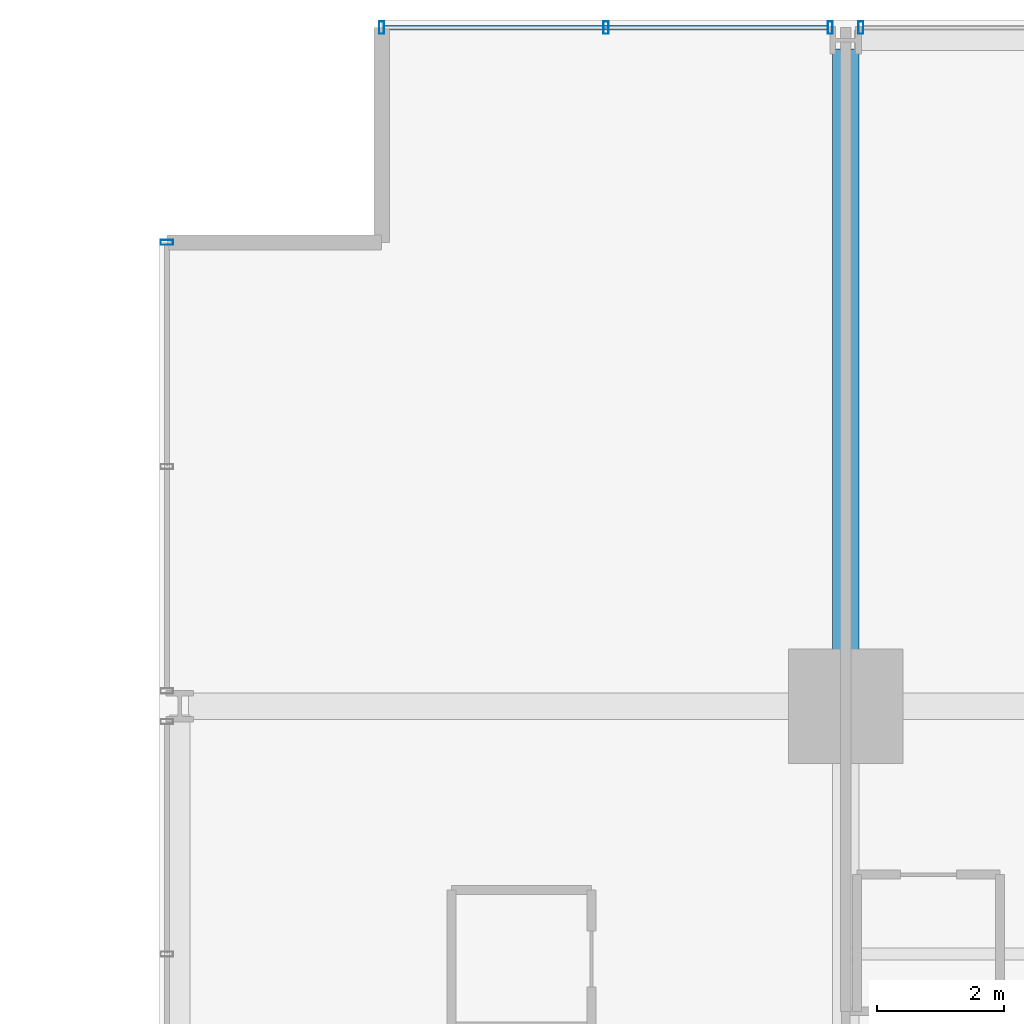
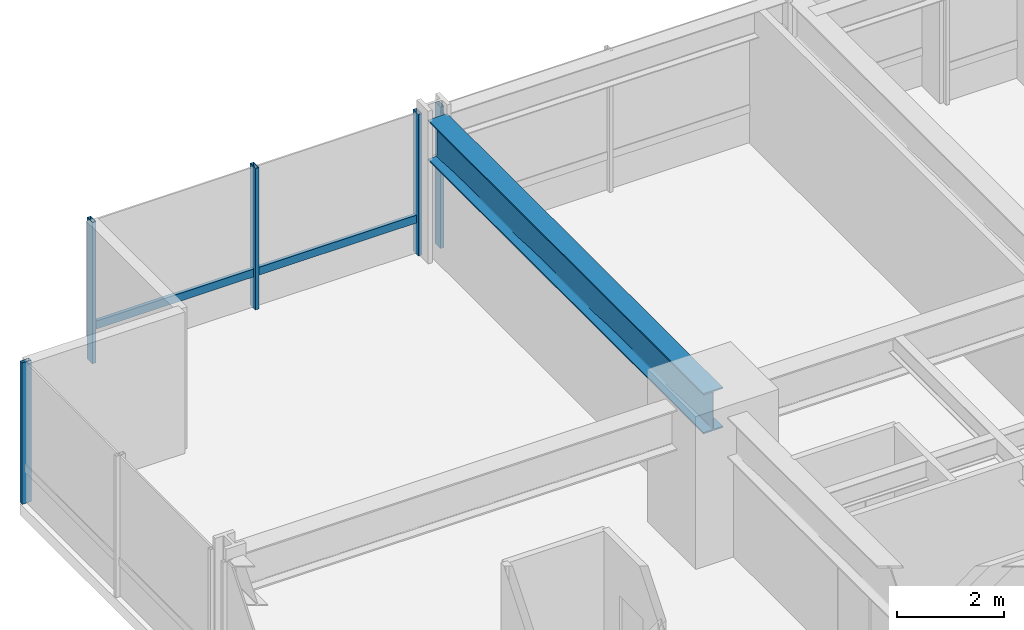
# One storey, part 21 of 38: 6 members, 1 beam, 3 elements without a shape of their own.
"""IFC4 building model written with IfcOpenShell, lengths in metres."""

from ifc_helpers import new_model, si_unit, direction, frame, origin, origin_2d, place, context, subcontext, project, spatial, hollow_rectangle, i_section, extrude, material, layer, layer_set, material_profile, profile_set, type_object, element, aggregate, save


model = new_model("IFC4")

# Units and contexts
model_context = context("Model", 3, precision=1e-05, world=origin(), true_north=direction((0.0, 1.0)))
body_context = subcontext(model_context, "Body", "Model", "MODEL_VIEW")
ifc_project = project(units=[si_unit("LENGTHUNIT", "METRE"), si_unit("AREAUNIT", "SQUARE_METRE"), si_unit("VOLUMEUNIT", "CUBIC_METRE"), si_unit("PLANEANGLEUNIT", "RADIAN"), si_unit("MASSUNIT", "GRAM", prefix="KILO")], contexts=[model_context])

# Site, building, storey
site_placement = place(None, origin())
site = spatial("IfcSite", under=ifc_project, at=site_placement, CompositionType="ELEMENT")
building_placement = place(site_placement, origin())
building = spatial("IfcBuilding", under=site, at=building_placement, Name="Drelvath Grand Hotel", CompositionType="ELEMENT")
storey_placement = place(building_placement, frame((0.0, 0.0, 57.699951171875)))
storey = spatial("IfcBuildingStorey", under=building, at=storey_placement, Name="L13", CompositionType="ELEMENT", Elevation=57.699951171875)

# Curtain wall, member
ifc_material_1 = material(Name="Warm Bronze Anodised Aluminium Frame", Category="aluminium")
ifc_layer = layer(ifc_material_1, 0.199951171875)
ifc_layer_set = layer_set([ifc_layer], Name="Warm Bronze Anodised Aluminium Frame")
curtain_wall_type = type_object("IfcCurtainWallType", Name="Stick Curtain Wall CW-02 Warm Bronze Low-Rise", PredefinedType="NOTDEFINED", material=ifc_layer_set)
curtain_wall_1_placement = place(storey_placement, origin())
curtain_wall_1 = element("IfcCurtainWall", 1, at=curtain_wall_1_placement, inside=storey, type_object=curtain_wall_type, Name="L13 CW-02 Curtain Wall CW02-L13-NW1", PredefinedType="NOTDEFINED")
ifc_material_profile_1 = material_profile(ifc_material_1, hollow_rectangle(XDim=0.074951171875, YDim=0.179931640625, WallThickness=0.0048828125, at=origin_2d()), Name="HSS180X75X5")
ifc_profile_set_1 = profile_set([ifc_material_profile_1], Name="Warm Bronze Anodised Aluminium Frame")
member_type_1 = type_object("IfcMemberType", Name="Curtain Wall Horizontal Transom CW-02 HSS180X75X5", PredefinedType="USERDEFINED", material=ifc_profile_set_1)
member_1_placement = place(storey_placement, frame((-23.4599609375, 53.8798828125, 0.81005859375), z_axis=(1.0, 0.0, 0.0), x_axis=(0.0, 1.0, 0.0)))
member_1 = element("IfcMember", 2, at=member_1_placement, type_object=member_type_1, Name="CW02-L13-NW1 Sill Transom", ObjectType="TRANSOM", PredefinedType="USERDEFINED", context=body_context, shape_type="SweptSolid", body=[
    extrude(hollow_rectangle(XDim=0.074951171875, YDim=0.179931640625, WallThickness=0.0048828125, at=origin_2d()), origin(), (0.0, 0.0, 1.0), 6.97900390625),
])

curtain_wall_2_placement = place(storey_placement, origin())
curtain_wall_2 = element("IfcCurtainWall", 3, at=curtain_wall_2_placement, inside=storey, type_object=curtain_wall_type, Name="L13 CW-02 Curtain Wall CW02-L13-WN3", PredefinedType="NOTDEFINED")
ifc_material_profile_2 = material_profile(ifc_material_1, hollow_rectangle(XDim=0.080078125, YDim=0.199951171875, WallThickness=0.0048828125, at=origin_2d()), Name="HSS200X80X5")
ifc_profile_set_2 = profile_set([ifc_material_profile_2], Name="Warm Bronze Anodised Aluminium Frame")
member_type_2 = type_object("IfcMemberType", Name="Curtain Wall Vertical Mullion CW-02 HSS200X80X5", PredefinedType="MULLION", material=ifc_profile_set_2)
member_2_placement = place(storey_placement, frame((-26.8798828125, 50.5, 0.0), z_axis=(0.0, 0.0, 1.0), x_axis=(0.0, 1.0, 0.0)))
member_2 = element("IfcMember", 4, at=member_2_placement, type_object=member_type_2, Name="CW02-L13-WN3 Mullion 3", PredefinedType="MULLION", context=body_context, shape_type="SweptSolid", body=[
    extrude(hollow_rectangle(XDim=0.080078125, YDim=0.199951171875, WallThickness=0.0048828125, at=origin_2d()), origin(), (0.0, 0.0, 1.0), 3.239990234375),
])
aggregate(curtain_wall_2, [member_2])

# Member
member_3_placement = place(storey_placement, frame((-23.5, 53.8798828125, 0.0), z_axis=(0.0, 0.0, 1.0), x_axis=(1.0, 0.0, 0.0)))
member_3 = element("IfcMember", 5, at=member_3_placement, type_object=member_type_2, Name="CW02-L13-NW1 Mullion 1", PredefinedType="MULLION", context=body_context, shape_type="SweptSolid", body=[
    extrude(hollow_rectangle(XDim=0.080078125, YDim=0.199951171875, WallThickness=0.0048828125, at=origin_2d()), origin(), (0.0, 0.0, 1.0), 3.239990234375),
])

member_4_placement = place(storey_placement, frame((-19.970458984375, 53.8798828125, 0.0), z_axis=(0.0, 0.0, 1.0), x_axis=(1.0, 0.0, 0.0)))
member_4 = element("IfcMember", 6, at=member_4_placement, type_object=member_type_2, Name="CW02-L13-NW1 Mullion 2", PredefinedType="MULLION", context=body_context, shape_type="SweptSolid", body=[
    extrude(hollow_rectangle(XDim=0.080078125, YDim=0.199951171875, WallThickness=0.0048828125, at=origin_2d()), origin(), (0.0, 0.0, 1.0), 3.239990234375),
])

member_5_placement = place(storey_placement, frame((-16.44091796875, 53.8798828125, 0.0), z_axis=(0.0, 0.0, 1.0), x_axis=(1.0, 0.0, 0.0)))
member_5 = element("IfcMember", 7, at=member_5_placement, type_object=member_type_2, Name="CW02-L13-NW1 Mullion 3", PredefinedType="MULLION", context=body_context, shape_type="SweptSolid", body=[
    extrude(hollow_rectangle(XDim=0.080078125, YDim=0.199951171875, WallThickness=0.0048828125, at=origin_2d()), origin(), (0.0, 0.0, 1.0), 3.239990234375),
])

aggregate(curtain_wall_1, [member_3, member_4, member_5, member_1])

# Curtain wall, member
curtain_wall_3_placement = place(storey_placement, origin())
curtain_wall_3 = element("IfcCurtainWall", 8, at=curtain_wall_3_placement, inside=storey, type_object=curtain_wall_type, Name="L13 CW-02 Curtain Wall CW02-L13-NW2", PredefinedType="NOTDEFINED")
member_6_placement = place(storey_placement, frame((-15.958984375, 53.8798828125, 0.0), z_axis=(0.0, 0.0, 1.0), x_axis=(1.0, 0.0, 0.0)))
member_6 = element("IfcMember", 9, at=member_6_placement, type_object=member_type_2, Name="CW02-L13-NW2 Mullion 1", PredefinedType="MULLION", context=body_context, shape_type="SweptSolid", body=[
    extrude(hollow_rectangle(XDim=0.080078125, YDim=0.199951171875, WallThickness=0.0048828125, at=origin_2d()), origin(), (0.0, 0.0, 1.0), 3.239990234375),
])
aggregate(curtain_wall_3, [member_6])

# Beam
ifc_material_2 = material(Name="Steel ASTM A992 Gr 50", Category="steel")
ifc_material_profile_3 = material_profile(ifc_material_2, i_section(OverallWidth=0.418212890625, OverallDepth=0.926513671875, WebThickness=0.019287109375, FlangeThickness=0.031982421875, FilletRadius=0.028076171875, at=origin_2d()), Name="W36X231")
ifc_profile_set_3 = profile_set([ifc_material_profile_3], Name="Steel ASTM A992 Gr 50")
beam_type = type_object("IfcBeamType", Name="Primary Floor Girder W36X231", PredefinedType="BEAM", material=ifc_profile_set_3)
beam_placement = place(storey_placement, frame((-16.199951171875, 43.199951171875, 2.77685546875), z_axis=(0.0, 1.0, 0.0), x_axis=(-1.0, 0.0, 0.0)))
element("IfcBeam", 10, at=beam_placement, inside=storey, type_object=beam_type, Name="L13 North Grid Girder 3", PredefinedType="BEAM", context=body_context, shape_type="SweptSolid", body=[
    extrude(i_section(OverallWidth=0.418212890625, OverallDepth=0.926513671875, WebThickness=0.019287109375, FlangeThickness=0.031982421875, FilletRadius=0.028076171875, at=origin_2d()), origin(), (0.0, 0.0, 1.0), 10.340087890625),
])

save(model, "model.ifc")
